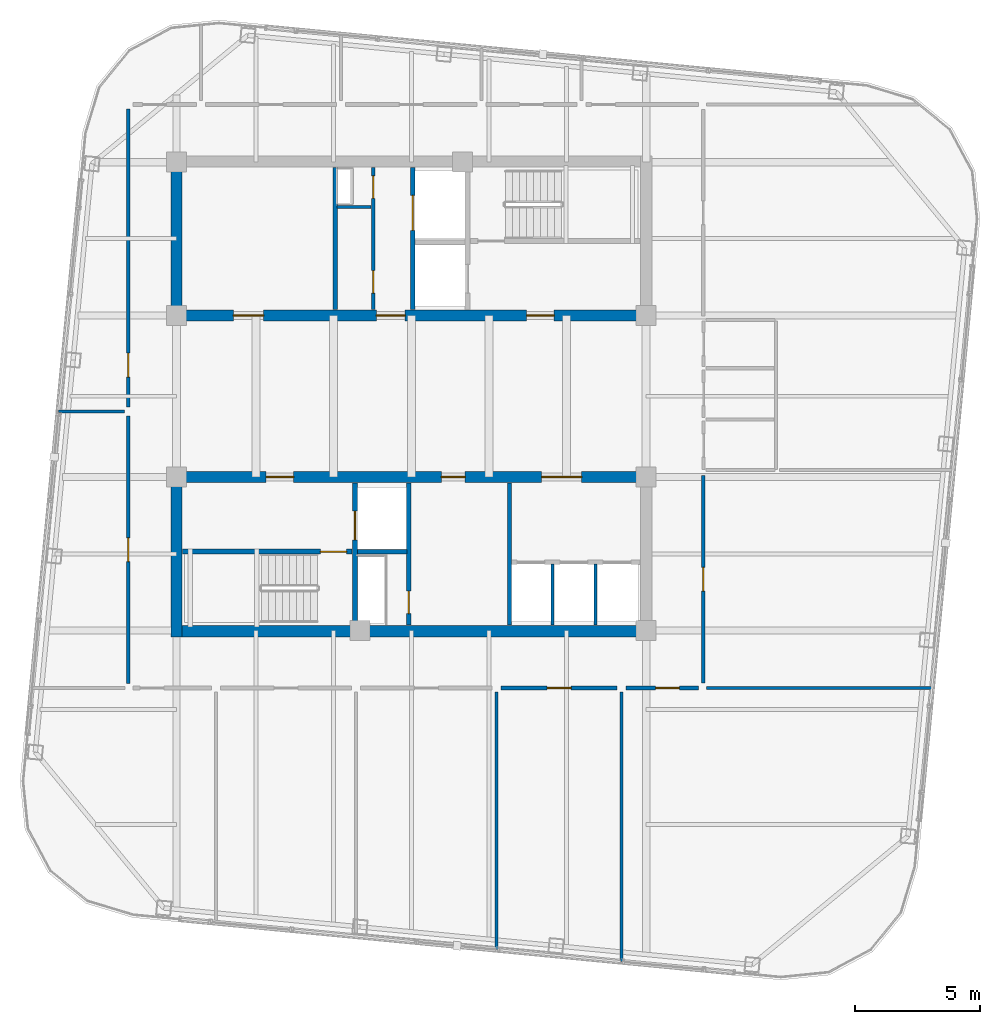
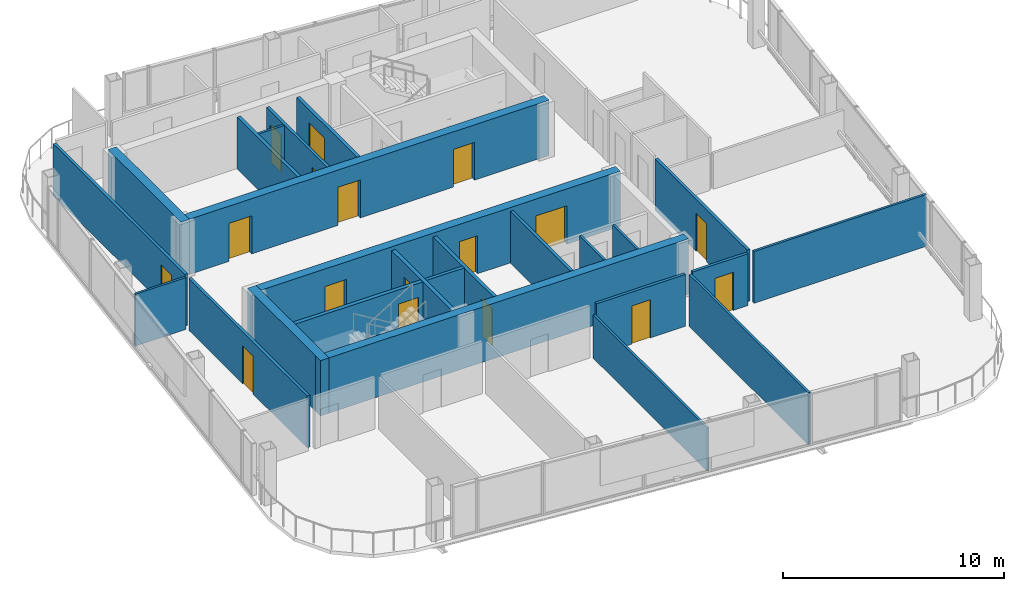
# One storey, part 21 of 27: 25 walls, 17 doors, 17 openings.
"""IFC4 building model written with IfcOpenShell, lengths in metres."""

from ifc_helpers import new_model, si_unit, direction, frame, frame_2d, origin, place, context, subcontext, project, spatial, rectangle, extrude, material, layer, layer_set, type_object, element, fill, save


model = new_model("IFC4")

# Units and contexts
model_context = context("Model", 3, precision=1e-05, world=origin(), true_north=direction((0.0, 1.0)))
body_context = subcontext(model_context, "Body", "Model", "MODEL_VIEW")
ifc_project = project(units=[si_unit("LENGTHUNIT", "METRE"), si_unit("AREAUNIT", "SQUARE_METRE"), si_unit("VOLUMEUNIT", "CUBIC_METRE"), si_unit("PLANEANGLEUNIT", "RADIAN"), si_unit("MASSUNIT", "GRAM", prefix="KILO")], contexts=[model_context])

# Site, building, storey
site_placement = place(None, origin())
site = spatial("IfcSite", under=ifc_project, at=site_placement, CompositionType="ELEMENT")
building_placement = place(site_placement, origin())
building = spatial("IfcBuilding", under=site, at=building_placement, Name="Qhalaya Broadcast Tower", CompositionType="ELEMENT")
storey_placement = place(building_placement, frame((0.0, 0.0, 258.10009765625)))
storey = spatial("IfcBuildingStorey", under=building, at=storey_placement, Name="L76", CompositionType="ELEMENT", Elevation=258.10009765625)

# Wall, openings, doors
ifc_material_1 = material(Name="Gypsum Acoustic Partition")
ifc_layer_1 = layer(ifc_material_1, 0.14990234375, Name="Gypsum Acoustic Partition")
ifc_layer_set_1 = layer_set([ifc_layer_1], Name="Gypsum Acoustic Partition")
wall_type_1 = type_object("IfcWallType", Name="Corridor & Tenancy Acoustic Partition 150", PredefinedType="PARTITIONING", material=ifc_layer_set_1)
wall_1_placement = place(storey_placement, frame((-1.52001953125, 4.070068359375, 0.0), z_axis=(0.0, 0.0, 1.0), x_axis=(0.0, 1.0, 0.0)))
wall_1 = element("IfcWall", 1, at=wall_1_placement, inside=storey, type_object=wall_type_1, Name="L76 Partition Wall NCW-SVL", PredefinedType="PARTITIONING", context=body_context, shape_type="SweptSolid", body=[
    extrude(rectangle(XDim=5.659912109375, YDim=0.14990234375, at=frame_2d((2.830078125, 0.0))), origin(), (0.0, 0.0, 1.0), 2.85986328125),
])
opening_1_placement = place(wall_1_placement, frame((4.429931640625, 0.0, 0.0)))
opening_1 = element("IfcOpeningElement", 2, at=opening_1_placement, cuts=wall_1, Name="Opening D06", PredefinedType="OPENING", context=body_context, shape_type="SweptSolid", body=[
    extrude(rectangle(XDim=0.89990234375, YDim=2.050048828125, at=frame_2d((0.449951171875, 1.02490234375))), frame((0.0, 0.0869140625, 0.0), z_axis=(0.0, -1.0, 0.0), x_axis=(1.0, 0.0, 0.0)), (0.0, 0.0, 1.0), 0.173828125),
])
opening_2_placement = place(wall_1_placement, frame((0.64990234375, 0.0, 0.0)))
opening_2 = element("IfcOpeningElement", 3, at=opening_2_placement, cuts=wall_1, Name="Opening D06", PredefinedType="OPENING", context=body_context, shape_type="SweptSolid", body=[
    extrude(rectangle(XDim=0.89990234375, YDim=2.050048828125, at=frame_2d((0.449951171875, 1.02490234375))), frame((0.0, 0.0869140625, 0.0), z_axis=(0.0, -1.0, 0.0), x_axis=(1.0, 0.0, 0.0)), (0.0, 0.0, 1.0), 0.173828125),
])
ifc_material_2 = material(Name="Fire-Rated Steel Door", Category="steel")
door_type_1 = type_object("IfcDoorType", Name="Riser & Electrical Shaft Access Door D06", OperationType="NOTDEFINED", PredefinedType="DOOR", material=ifc_material_2)
door_1_placement = place(opening_1_placement, origin())
door_1 = element("IfcDoor", 4, at=door_1_placement, inside=storey, type_object=door_type_1, Name="L76 Riser Shaft Access Door D-NRSR", OperationType="SINGLE_SWING_RIGHT", OverallHeight=2.050048828125, OverallWidth=0.89990234375, PredefinedType="DOOR", context=body_context, shape_type="SweptSolid", body=[
    extrude(rectangle(XDim=0.89990234375, YDim=2.050048828125, at=frame_2d((0.449951171875, 1.02490234375))), frame((0.0, 0.02490234375, 0.0), z_axis=(0.0, -1.0, 0.0), x_axis=(1.0, 0.0, 0.0)), (0.0, 0.0, 1.0), 0.050048828125),
])
fill(opening_1, door_1)
door_2_placement = place(opening_2_placement, origin())
door_2 = element("IfcDoor", 5, at=door_2_placement, inside=storey, type_object=door_type_1, Name="L76 Door D-NCST", OperationType="SINGLE_SWING_LEFT", OverallHeight=2.050048828125, OverallWidth=0.89990234375, PredefinedType="DOOR", context=body_context, shape_type="SweptSolid", body=[
    extrude(rectangle(XDim=0.89990234375, YDim=2.050048828125, at=frame_2d((0.449951171875, 1.02490234375))), frame((0.0, 0.02490234375, 0.0), z_axis=(0.0, -1.0, 0.0), x_axis=(1.0, 0.0, 0.0)), (0.0, 0.0, 1.0), 0.050048828125),
])
fill(opening_2, door_2)

# Wall
wall_2_placement = place(storey_placement, frame((3.919921875, -8.530029296875, 0.0), z_axis=(0.0, 0.0, 1.0), x_axis=(0.0, 1.0, 0.0)))
element("IfcWall", 6, at=wall_2_placement, inside=storey, type_object=wall_type_1, Name="L76 Partition Wall SCW-HSEP", PredefinedType="PARTITIONING", context=body_context, shape_type="SweptSolid", body=[
    extrude(rectangle(XDim=5.659912109375, YDim=0.14990234375, at=frame_2d((2.830078125, 0.0))), origin(), (0.0, 0.0, 1.0), 2.85986328125),
])

# Wall, opening, door
wall_3_placement = place(storey_placement, frame((3.580078125, -11.050048828125, 0.0), z_axis=(0.0, 0.0, 1.0), x_axis=(1.0, 0.0, 0.0)))
wall_3 = element("IfcWall", 7, at=wall_3_placement, inside=storey, type_object=wall_type_1, Name="L76 Partition Wall W-COR-09", PredefinedType="PARTITIONING", context=body_context, shape_type="SweptSolid", body=[
    extrude(rectangle(XDim=4.639892578125, YDim=0.14990234375, at=frame_2d((2.31982421875, 0.0))), origin(), (0.0, 0.0, 1.0), 2.85986328125),
])
opening_3_placement = place(wall_3_placement, frame((1.844970703125, 0.0, 0.0)))
opening_3 = element("IfcOpeningElement", 8, at=opening_3_placement, cuts=wall_3, Name="Opening D10", PredefinedType="OPENING", context=body_context, shape_type="SweptSolid", body=[
    extrude(rectangle(XDim=0.949951171875, YDim=2.10009765625, at=frame_2d((0.47509765625, 1.050048828125))), frame((0.0, 0.0869140625, 0.0), z_axis=(0.0, -1.0, 0.0), x_axis=(1.0, 0.0, 0.0)), (0.0, 0.0, 1.0), 0.173828125),
])
ifc_material_3 = material(Name="Timber Veneer Acoustic Door", Category="wood")
door_type_2 = type_object("IfcDoorType", Name="Cellular Office & Edit Booth Door D10", OperationType="NOTDEFINED", PredefinedType="DOOR", material=ifc_material_3)
door_3_placement = place(opening_3_placement, origin())
door_3 = element("IfcDoor", 9, at=door_3_placement, inside=storey, type_object=door_type_2, Name="L76 Door D-RM09", OperationType="SINGLE_SWING_RIGHT", OverallHeight=2.10009765625, OverallWidth=0.949951171875, PredefinedType="DOOR", context=body_context, shape_type="SweptSolid", body=[
    extrude(rectangle(XDim=0.949951171875, YDim=2.10009765625, at=frame_2d((0.47509765625, 1.050048828125))), frame((0.0, 0.02490234375, 0.0), z_axis=(0.0, -1.0, 0.0), x_axis=(1.0, 0.0, 0.0)), (0.0, 0.0, 1.0), 0.050048828125),
])
fill(opening_3, door_3)

wall_4_placement = place(storey_placement, frame((8.580078125, -11.050048828125, 0.0), z_axis=(0.0, 0.0, 1.0), x_axis=(1.0, 0.0, 0.0)))
wall_4 = element("IfcWall", 10, at=wall_4_placement, inside=storey, type_object=wall_type_1, Name="L76 Partition Wall W-COR-10", PredefinedType="PARTITIONING", context=body_context, shape_type="SweptSolid", body=[
    extrude(rectangle(XDim=2.889892578125, YDim=0.14990234375, at=frame_2d((1.44482421875, 0.0))), origin(), (0.0, 0.0, 1.0), 2.85986328125),
])
opening_4_placement = place(wall_4_placement, frame((1.169921875, 0.0, 0.0)))
opening_4 = element("IfcOpeningElement", 11, at=opening_4_placement, cuts=wall_4, Name="Opening D10", PredefinedType="OPENING", context=body_context, shape_type="SweptSolid", body=[
    extrude(rectangle(XDim=0.949951171875, YDim=2.10009765625, at=frame_2d((0.47509765625, 1.050048828125))), frame((0.0, 0.0869140625, 0.0), z_axis=(0.0, -1.0, 0.0), x_axis=(1.0, 0.0, 0.0)), (0.0, 0.0, 1.0), 0.173828125),
])
door_4_placement = place(opening_4_placement, origin())
door_4 = element("IfcDoor", 12, at=door_4_placement, inside=storey, type_object=door_type_2, Name="L76 Door D-RM10", OperationType="SINGLE_SWING_LEFT", OverallHeight=2.10009765625, OverallWidth=0.949951171875, PredefinedType="DOOR", context=body_context, shape_type="SweptSolid", body=[
    extrude(rectangle(XDim=0.949951171875, YDim=2.10009765625, at=frame_2d((0.47509765625, 1.050048828125))), frame((0.0, 0.02490234375, 0.0), z_axis=(0.0, -1.0, 0.0), x_axis=(1.0, 0.0, 0.0)), (0.0, 0.0, 1.0), 0.050048828125),
])
fill(opening_4, door_4)

wall_5_placement = place(storey_placement, frame((-11.300048828125, -0.179931640625, 0.0), z_axis=(0.0, 0.0, 1.0), x_axis=(0.0, -1.0, 0.0)))
wall_5 = element("IfcWall", 13, at=wall_5_placement, inside=storey, type_object=wall_type_1, Name="L76 Partition Wall W-COR-11", PredefinedType="PARTITIONING", context=body_context, shape_type="SweptSolid", body=[
    extrude(rectangle(XDim=10.690185546875, YDim=0.14990234375, at=frame_2d((5.34521484375, 0.0))), origin(), (0.0, 0.0, 1.0), 2.85986328125),
])
opening_5_placement = place(wall_5_placement, frame((4.8701171875, 0.0, 0.0)))
opening_5 = element("IfcOpeningElement", 14, at=opening_5_placement, cuts=wall_5, Name="Opening D10", PredefinedType="OPENING", context=body_context, shape_type="SweptSolid", body=[
    extrude(rectangle(XDim=0.949951171875, YDim=2.10009765625, at=frame_2d((0.47509765625, 1.050048828125))), frame((0.0, 0.0869140625, 0.0), z_axis=(0.0, -1.0, 0.0), x_axis=(1.0, 0.0, 0.0)), (0.0, 0.0, 1.0), 0.173828125),
])
door_5_placement = place(opening_5_placement, origin())
door_5 = element("IfcDoor", 15, at=door_5_placement, inside=storey, type_object=door_type_2, Name="L76 Door D-RM11", OperationType="SINGLE_SWING_RIGHT", OverallHeight=2.10009765625, OverallWidth=0.949951171875, PredefinedType="DOOR", context=body_context, shape_type="SweptSolid", body=[
    extrude(rectangle(XDim=0.949951171875, YDim=2.10009765625, at=frame_2d((0.47509765625, 1.050048828125))), frame((0.0, 0.02490234375, 0.0), z_axis=(0.0, -1.0, 0.0), x_axis=(1.0, 0.0, 0.0)), (0.0, 0.0, 1.0), 0.050048828125),
])
fill(opening_5, door_5)

wall_6_placement = place(storey_placement, frame((-11.300048828125, 12.070068359375, 0.0), z_axis=(0.0, 0.0, 1.0), x_axis=(0.0, -1.0, 0.0)))
wall_6 = element("IfcWall", 16, at=wall_6_placement, inside=storey, type_object=wall_type_1, Name="L76 Partition Wall W-COR-12", PredefinedType="PARTITIONING", context=body_context, shape_type="SweptSolid", body=[
    extrude(rectangle(XDim=11.89013671875, YDim=0.14990234375, at=frame_2d((5.945068359375, 0.0))), origin(), (0.0, 0.0, 1.0), 2.85986328125),
])
opening_6_placement = place(wall_6_placement, frame((9.75, 0.0, 0.0)))
opening_6 = element("IfcOpeningElement", 17, at=opening_6_placement, cuts=wall_6, Name="Opening D10", PredefinedType="OPENING", context=body_context, shape_type="SweptSolid", body=[
    extrude(rectangle(XDim=0.949951171875, YDim=2.10009765625, at=frame_2d((0.47509765625, 1.050048828125))), frame((0.0, 0.0869140625, 0.0), z_axis=(0.0, -1.0, 0.0), x_axis=(1.0, 0.0, 0.0)), (0.0, 0.0, 1.0), 0.173828125),
])
door_6_placement = place(opening_6_placement, origin())
door_6 = element("IfcDoor", 18, at=door_6_placement, inside=storey, type_object=door_type_2, Name="L76 Door D-RM12", OperationType="SINGLE_SWING_LEFT", OverallHeight=2.10009765625, OverallWidth=0.949951171875, PredefinedType="DOOR", context=body_context, shape_type="SweptSolid", body=[
    extrude(rectangle(XDim=0.949951171875, YDim=2.10009765625, at=frame_2d((0.47509765625, 1.050048828125))), frame((0.0, 0.02490234375, 0.0), z_axis=(0.0, -1.0, 0.0), x_axis=(1.0, 0.0, 0.0)), (0.0, 0.0, 1.0), 0.050048828125),
])
fill(opening_6, door_6)

wall_7_placement = place(storey_placement, frame((11.64990234375, -10.85009765625, 0.0), z_axis=(0.0, 0.0, 1.0), x_axis=(0.0, 1.0, 0.0)))
wall_7 = element("IfcWall", 19, at=wall_7_placement, inside=storey, type_object=wall_type_1, Name="L76 Partition Wall W-COR-13", PredefinedType="PARTITIONING", context=body_context, shape_type="SweptSolid", body=[
    extrude(rectangle(XDim=8.2900390625, YDim=0.14990234375, at=frame_2d((4.14501953125, 0.0))), origin(), (0.0, 0.0, 1.0), 2.85986328125),
])
opening_7_placement = place(wall_7_placement, frame((3.669921875, 0.0, 0.0)))
opening_7 = element("IfcOpeningElement", 20, at=opening_7_placement, cuts=wall_7, Name="Opening D10", PredefinedType="OPENING", context=body_context, shape_type="SweptSolid", body=[
    extrude(rectangle(XDim=0.949951171875, YDim=2.10009765625, at=frame_2d((0.47509765625, 1.050048828125))), frame((0.0, 0.0869140625, 0.0), z_axis=(0.0, -1.0, 0.0), x_axis=(1.0, 0.0, 0.0)), (0.0, 0.0, 1.0), 0.173828125),
])
door_7_placement = place(opening_7_placement, origin())
door_7 = element("IfcDoor", 21, at=door_7_placement, inside=storey, type_object=door_type_2, Name="L76 Door D-RM13", OperationType="SINGLE_SWING_RIGHT", OverallHeight=2.10009765625, OverallWidth=0.949951171875, PredefinedType="DOOR", context=body_context, shape_type="SweptSolid", body=[
    extrude(rectangle(XDim=0.949951171875, YDim=2.10009765625, at=frame_2d((0.47509765625, 1.050048828125))), frame((0.0, 0.02490234375, 0.0), z_axis=(0.0, -1.0, 0.0), x_axis=(1.0, 0.0, 0.0)), (0.0, 0.0, 1.0), 0.050048828125),
])
fill(opening_7, door_7)

ifc_material_4 = material(Name="Concrete C50/60", Category="concrete")
ifc_layer_2 = layer(ifc_material_4, 0.199951171875, Name="Concrete C50/60")
ifc_layer_set_2 = layer_set([ifc_layer_2], Name="Concrete C50/60")
wall_type_2 = type_object("IfcWallType", Name="Load-Bearing Stair Shaft Wall 200", PredefinedType="SHEAR", material=ifc_layer_set_2)
wall_8_placement = place(storey_placement, frame((-9.1298828125, -5.60498046875, 0.0), z_axis=(0.0, 0.0, 1.0), x_axis=(1.0, 0.0, 0.0)))
wall_8 = element("IfcWall", 22, at=wall_8_placement, inside=storey, type_object=wall_type_2, Name="L76 Stair Core Shear Wall SCW-ST2", PredefinedType="SHEAR", context=body_context, shape_type="SweptSolid", body=[
    extrude(rectangle(XDim=6.769775390625, YDim=0.199951171875, at=frame_2d((3.384765625, 0.0))), origin(), (0.0, 0.0, 1.0), 2.85986328125),
])
opening_8_placement = place(wall_8_placement, frame((5.5, 0.0, 0.0)))
opening_8 = element("IfcOpeningElement", 23, at=opening_8_placement, cuts=wall_8, Name="Opening D03", PredefinedType="OPENING", context=body_context, shape_type="SweptSolid", body=[
    extrude(rectangle(XDim=1.050048828125, YDim=2.080078125, at=frame_2d((0.52490234375, 1.0400390625))), frame((0.0, 0.112060546875, 0.0), z_axis=(0.0, -1.0, 0.0), x_axis=(1.0, 0.0, 0.0)), (0.0, 0.0, 1.0), 0.223876953125),
])
door_type_3 = type_object("IfcDoorType", Name="Core Stair Protected Fire Door D03", OperationType="NOTDEFINED", PredefinedType="DOOR", material=ifc_material_2)
door_8_placement = place(opening_8_placement, origin())
door_8 = element("IfcDoor", 24, at=door_8_placement, inside=storey, type_object=door_type_3, Name="L76 Door D-SST2", OperationType="SINGLE_SWING_RIGHT", OverallHeight=2.080078125, OverallWidth=1.050048828125, PredefinedType="DOOR", context=body_context, shape_type="SweptSolid", body=[
    extrude(rectangle(XDim=1.050048828125, YDim=2.080078125, at=frame_2d((0.52490234375, 1.0400390625))), frame((0.0, 0.02490234375, 0.0), z_axis=(0.0, -1.0, 0.0), x_axis=(1.0, 0.0, 0.0)), (0.0, 0.0, 1.0), 0.050048828125),
])
fill(opening_8, door_8)

wall_9_placement = place(storey_placement, frame((-2.25, -8.530029296875, 0.0), z_axis=(0.0, 0.0, 1.0), x_axis=(0.0, 1.0, 0.0)))
wall_9 = element("IfcWall", 25, at=wall_9_placement, inside=storey, type_object=wall_type_2, Name="L76 Stair Core Shear Wall SCW-FF", PredefinedType="SHEAR", context=body_context, shape_type="SweptSolid", body=[
    extrude(rectangle(XDim=5.659912109375, YDim=0.199951171875, at=frame_2d((2.830078125, 0.0))), origin(), (0.0, 0.0, 1.0), 2.85986328125),
])
opening_9_placement = place(wall_9_placement, frame((3.39990234375, 0.0, 0.0)))
opening_9 = element("IfcOpeningElement", 26, at=opening_9_placement, cuts=wall_9, Name="Opening LD2", PredefinedType="OPENING", context=body_context, shape_type="SweptSolid", body=[
    extrude(rectangle(XDim=1.14990234375, YDim=2.080078125, at=frame_2d((0.574951171875, 1.0400390625))), frame((0.0, 0.112060546875, 0.0), z_axis=(0.0, -1.0, 0.0), x_axis=(1.0, 0.0, 0.0)), (0.0, 0.0, 1.0), 0.223876953125),
])
ifc_material_5 = material(Name="Brushed Stainless Steel Lift Door", Category="steel")
door_type_4 = type_object("IfcDoorType", Name="Firefighting Lift Sliding Landing Door LD2", OperationType="DOUBLE_DOOR_SLIDING", PredefinedType="DOOR", material=ifc_material_5)
door_9_placement = place(opening_9_placement, origin())
door_9 = element("IfcDoor", 27, at=door_9_placement, inside=storey, type_object=door_type_4, Name="L76 Door LD-FF2", OperationType="DOUBLE_DOOR_SLIDING", OverallHeight=2.080078125, OverallWidth=1.14990234375, PredefinedType="DOOR", context=body_context, shape_type="SweptSolid", body=[
    extrude(rectangle(XDim=1.14990234375, YDim=2.080078125, at=frame_2d((0.574951171875, 1.0400390625))), frame((0.0, 0.02490234375, 0.0), z_axis=(0.0, -1.0, 0.0), x_axis=(1.0, 0.0, 0.0)), (0.0, 0.0, 1.0), 0.050048828125),
])
fill(opening_9, door_9)

# Walls
ifc_layer_3 = layer(ifc_material_1, 0.1201171875, Name="Gypsum Acoustic Partition")
ifc_layer_set_3 = layer_set([ifc_layer_3], Name="Gypsum Acoustic Partition")
wall_type_3 = type_object("IfcWallType", Name="Office, Booth & Sanitary Partition 120", PredefinedType="PARTITIONING", material=ifc_layer_set_3)
wall_10_placement = place(storey_placement, frame((-2.9599609375, 8.14990234375, 0.0), z_axis=(0.0, 0.0, 1.0), x_axis=(1.0, 0.0, 0.0)))
element("IfcWall", 28, at=wall_10_placement, inside=storey, type_object=wall_type_3, Name="L76 Partition Wall NCW-VA", PredefinedType="PARTITIONING", context=body_context, shape_type="SweptSolid", body=[
    extrude(rectangle(XDim=1.35986328125, YDim=0.1201171875, at=frame_2d((0.679931640625, 0.0))), origin(), (0.0, 0.0, 1.0), 2.85986328125),
])
for number, where, z_axis, x_axis, name in (
    (29, (5.639892578125, -8.530029296875, 0.0), (0.0, 0.0, 1.0), (0.0, 1.0, 0.0), "L76 Partition Wall SCW-HD6"),
    (30, (7.360107421875, -8.530029296875, 0.0), (0.0, 0.0, 1.0), (0.0, 1.0, 0.0), "L76 Partition Wall SCW-HD7"),
):
    element("IfcWall", number, at=place(storey_placement, frame(where, z_axis=z_axis, x_axis=x_axis)), inside=storey, type_object=wall_type_3, Name=name, PredefinedType="PARTITIONING", context=body_context, shape_type="SweptSolid", body=[
        extrude(rectangle(XDim=2.429931640625, YDim=0.1201171875, at=frame_2d((1.21484375, 0.0))), origin(), (0.0, 0.0, 1.0), 2.85986328125),
    ])
wall_11_placement = place(storey_placement, frame((11.7900390625, -11.050048828125, 0.0), z_axis=(0.0, 0.0, 1.0), x_axis=(1.0, 0.0, 0.0)))
element("IfcWall", 31, at=wall_11_placement, inside=storey, type_object=wall_type_3, Name="L76 Partition Wall W-BNDE2", PredefinedType="PARTITIONING", context=body_context, shape_type="SweptSolid", body=[
    extrude(rectangle(XDim=8.989501953125, YDim=0.1201171875, at=frame_2d((4.49462890625, 0.0))), origin(), (0.0, 0.0, 1.0), 2.85986328125),
])
wall_12_placement = place(storey_placement, frame((3.39990234375, -21.4892578125, 0.0), z_axis=(0.0, 0.0, 1.0), x_axis=(0.0, 1.0, 0.0)))
element("IfcWall", 32, at=wall_12_placement, inside=storey, type_object=wall_type_3, Name="L76 Partition Wall W-DIVS3", PredefinedType="PARTITIONING", context=body_context, shape_type="SweptSolid", body=[
    extrude(rectangle(XDim=10.279296875, YDim=0.1201171875, at=frame_2d((5.1396484375, 0.0))), origin(), (0.0, 0.0, 1.0), 2.380859375),
])
wall_13_placement = place(storey_placement, frame((8.39990234375, -21.970703125, 0.0), z_axis=(0.0, 0.0, 1.0), x_axis=(0.0, 1.0, 0.0)))
element("IfcWall", 33, at=wall_13_placement, inside=storey, type_object=wall_type_3, Name="L76 Partition Wall W-DIVS4", PredefinedType="PARTITIONING", context=body_context, shape_type="SweptSolid", body=[
    extrude(rectangle(XDim=10.7607421875, YDim=0.1201171875, at=frame_2d((5.38037109375, 0.0))), origin(), (0.0, 0.0, 1.0), 2.85986328125),
])
wall_14_placement = place(storey_placement, frame((-14.081787109375, 0.0, 0.0), z_axis=(0.0, 0.0, 1.0), x_axis=(1.0, 0.0, 0.0)))
element("IfcWall", 34, at=wall_14_placement, inside=storey, type_object=wall_type_3, Name="L76 Partition Wall W-DIVW1", PredefinedType="PARTITIONING", context=body_context, shape_type="SweptSolid", body=[
    extrude(rectangle(XDim=2.621826171875, YDim=0.1201171875, at=frame_2d((1.31103515625, 0.0))), origin(), (0.0, 0.0, 1.0), 2.85986328125),
])

# Wall, opening, door
ifc_layer_4 = layer(ifc_material_1, 0.175048828125, Name="Gypsum Acoustic Partition")
ifc_layer_set_4 = layer_set([ifc_layer_4], Name="Gypsum Acoustic Partition")
wall_type_4 = type_object("IfcWallType", Name="Shaft & Riser Fire Partition 175", PredefinedType="PARTITIONING", material=ifc_layer_set_4)
wall_15_placement = place(storey_placement, frame((0.06005859375, 4.070068359375, 0.0), z_axis=(0.0, 0.0, 1.0), x_axis=(0.0, 1.0, 0.0)))
wall_15 = element("IfcWall", 35, at=wall_15_placement, inside=storey, type_object=wall_type_4, Name="L76 Partition Wall NCW-SVW", PredefinedType="PARTITIONING", context=body_context, shape_type="SweptSolid", body=[
    extrude(rectangle(XDim=5.659912109375, YDim=0.175048828125, at=frame_2d((2.830078125, 0.0))), origin(), (0.0, 0.0, 1.0), 2.85986328125),
])
opening_10_placement = place(wall_15_placement, frame((3.14990234375, 0.0, 0.0)))
opening_10 = element("IfcOpeningElement", 36, at=opening_10_placement, cuts=wall_15, Name="Opening LD3", PredefinedType="OPENING", context=body_context, shape_type="SweptSolid", body=[
    extrude(rectangle(XDim=1.39990234375, YDim=2.1201171875, at=frame_2d((0.699951171875, 1.06005859375))), frame((0.0, 0.099609375, 0.0), z_axis=(0.0, -1.0, 0.0), x_axis=(1.0, 0.0, 0.0)), (0.0, 0.0, 1.0), 0.198974609375),
])
door_type_5 = type_object("IfcDoorType", Name="Service Lift Wide Sliding Landing Door LD3", OperationType="DOUBLE_DOOR_SLIDING", PredefinedType="DOOR", material=ifc_material_5)
door_10_placement = place(opening_10_placement, origin())
door_10 = element("IfcDoor", 37, at=door_10_placement, inside=storey, type_object=door_type_5, Name="L76 Door LD-SV1", OperationType="DOUBLE_DOOR_SLIDING", OverallHeight=2.1201171875, OverallWidth=1.39990234375, PredefinedType="DOOR", context=body_context, shape_type="SweptSolid", body=[
    extrude(rectangle(XDim=1.39990234375, YDim=2.1201171875, at=frame_2d((0.699951171875, 1.06005859375))), frame((0.0, 0.02490234375, 0.0), z_axis=(0.0, -1.0, 0.0), x_axis=(1.0, 0.0, 0.0)), (0.0, 0.0, 1.0), 0.050048828125),
])
fill(opening_10, door_10)

# Wall
wall_16_placement = place(storey_placement, frame((-3.0400390625, 4.070068359375, 0.0), z_axis=(0.0, 0.0, 1.0), x_axis=(0.0, 1.0, 0.0)))
element("IfcWall", 38, at=wall_16_placement, inside=storey, type_object=wall_type_4, Name="L76 Partition Wall NCW-VRW", PredefinedType="PARTITIONING", context=body_context, shape_type="SweptSolid", body=[
    extrude(rectangle(XDim=5.659912109375, YDim=0.175048828125, at=frame_2d((2.830078125, 0.0))), origin(), (0.0, 0.0, 1.0), 2.85986328125),
])

# Wall, opening, door
wall_17_placement = place(storey_placement, frame((-0.10009765625, -8.530029296875, 0.0), z_axis=(0.0, 0.0, 1.0), x_axis=(0.0, 1.0, 0.0)))
wall_17 = element("IfcWall", 39, at=wall_17_placement, inside=storey, type_object=wall_type_4, Name="L76 Partition Wall SCW-FFE", PredefinedType="PARTITIONING", context=body_context, shape_type="SweptSolid", body=[
    extrude(rectangle(XDim=5.659912109375, YDim=0.175048828125, at=frame_2d((2.830078125, 0.0))), origin(), (0.0, 0.0, 1.0), 2.85986328125),
])
opening_11_placement = place(wall_17_placement, frame((0.449951171875, 0.0, 0.0)))
opening_11 = element("IfcOpeningElement", 40, at=opening_11_placement, cuts=wall_17, Name="Opening D06", PredefinedType="OPENING", context=body_context, shape_type="SweptSolid", body=[
    extrude(rectangle(XDim=0.89990234375, YDim=2.050048828125, at=frame_2d((0.449951171875, 1.02490234375))), frame((0.0, 0.099609375, 0.0), z_axis=(0.0, -1.0, 0.0), x_axis=(1.0, 0.0, 0.0)), (0.0, 0.0, 1.0), 0.198974609375),
])
door_11_placement = place(opening_11_placement, origin())
door_11 = element("IfcDoor", 41, at=door_11_placement, inside=storey, type_object=door_type_1, Name="L76 Riser Shaft Access Door D-SRSR", OperationType="SINGLE_SWING_LEFT", OverallHeight=2.050048828125, OverallWidth=0.89990234375, PredefinedType="DOOR", context=body_context, shape_type="SweptSolid", body=[
    extrude(rectangle(XDim=0.89990234375, YDim=2.050048828125, at=frame_2d((0.449951171875, 1.02490234375))), frame((0.0, 0.02490234375, 0.0), z_axis=(0.0, -1.0, 0.0), x_axis=(1.0, 0.0, 0.0)), (0.0, 0.0, 1.0), 0.050048828125),
])
fill(opening_11, door_11)

# Wall
wall_18_placement = place(storey_placement, frame((-2.14990234375, -5.60009765625, 0.0), z_axis=(0.0, 0.0, 1.0), x_axis=(1.0, 0.0, 0.0)))
element("IfcWall", 42, at=wall_18_placement, inside=storey, type_object=wall_type_4, Name="L76 Partition Wall SCW-FFM", PredefinedType="PARTITIONING", context=body_context, shape_type="SweptSolid", body=[
    extrude(rectangle(XDim=1.969970703125, YDim=0.175048828125, at=frame_2d((0.98486328125, 0.0))), origin(), (0.0, 0.0, 1.0), 2.85986328125),
])

# Wall, openings, doors
ifc_layer_5 = layer(ifc_material_4, 0.449951171875, Name="Concrete C50/60")
ifc_layer_set_5 = layer_set([ifc_layer_5], Name="Concrete C50/60")
wall_type_5 = type_object("IfcWallType", Name="Upper Split-Core Shear Wall 450", PredefinedType="SHEAR", material=ifc_layer_set_5)
wall_19_placement = place(storey_placement, frame((-9.60009765625, 3.824951171875, 0.0), z_axis=(0.0, 0.0, 1.0), x_axis=(1.0, 0.0, 0.0)))
wall_19 = element("IfcWall", 43, at=wall_19_placement, inside=storey, type_object=wall_type_5, Name="L76 Split-Core Shear Wall CW-NS", PredefinedType="SHEAR", context=body_context, shape_type="SweptSolid", body=[
    extrude(rectangle(XDim=19.2001953125, YDim=0.449951171875, at=frame_2d((9.60009765625, 0.0))), origin(), (0.0, 0.0, 1.0), 3.0498046875),
])
opening_12_placement = place(wall_19_placement, frame((14.199951171875, 0.0, 0.0)))
opening_12 = element("IfcOpeningElement", 44, at=opening_12_placement, cuts=wall_19, Name="Opening D04", PredefinedType="OPENING", context=body_context, shape_type="SweptSolid", body=[
    extrude(rectangle(XDim=1.10009765625, YDim=2.080078125, at=frame_2d((0.550048828125, 1.0400390625))), frame((0.0, 0.237060546875, 0.0), z_axis=(0.0, -1.0, 0.0), x_axis=(1.0, 0.0, 0.0)), (0.0, 0.0, 1.0), 0.473876953125),
])
opening_13_placement = place(wall_19_placement, frame((8.199951171875, 0.0, 0.0)))
opening_13 = element("IfcOpeningElement", 45, at=opening_13_placement, cuts=wall_19, Name="Opening D05", PredefinedType="OPENING", context=body_context, shape_type="SweptSolid", body=[
    extrude(rectangle(XDim=1.14990234375, YDim=2.10009765625, at=frame_2d((0.574951171875, 1.050048828125))), frame((0.0, 0.237060546875, 0.0), z_axis=(0.0, -1.0, 0.0), x_axis=(1.0, 0.0, 0.0)), (0.0, 0.0, 1.0), 0.473876953125),
])
opening_14_placement = place(wall_19_placement, frame((2.5, 0.0, 0.0)))
opening_14 = element("IfcOpeningElement", 46, at=opening_14_placement, cuts=wall_19, Name="Opening D11", PredefinedType="OPENING", context=body_context, shape_type="SweptSolid", body=[
    extrude(rectangle(XDim=1.199951171875, YDim=2.10009765625, at=frame_2d((0.60009765625, 1.050048828125))), frame((0.0, 0.237060546875, 0.0), z_axis=(0.0, -1.0, 0.0), x_axis=(1.0, 0.0, 0.0)), (0.0, 0.0, 1.0), 0.473876953125),
])
ifc_material_6 = material(Name="Anodised Aluminium Glazed Door", Category="aluminium")
door_type_6 = type_object("IfcDoorType", Name="Conference, Boardroom & Studio Control Door D11", OperationType="NOTDEFINED", PredefinedType="DOOR", material=ifc_material_6)
door_12_placement = place(opening_14_placement, origin())
door_12 = element("IfcDoor", 47, at=door_12_placement, inside=storey, type_object=door_type_6, Name="L76 Door D-NREC1", OperationType="SINGLE_SWING_LEFT", OverallHeight=2.10009765625, OverallWidth=1.199951171875, PredefinedType="DOOR", context=body_context, shape_type="SweptSolid", body=[
    extrude(rectangle(XDim=1.199951171875, YDim=2.10009765625, at=frame_2d((0.60009765625, 1.050048828125))), frame((0.0, 0.02490234375, 0.0), z_axis=(0.0, -1.0, 0.0), x_axis=(1.0, 0.0, 0.0)), (0.0, 0.0, 1.0), 0.050048828125),
])
fill(opening_14, door_12)
door_type_7 = type_object("IfcDoorType", Name="Firefighting Lobby Rated Door D04", OperationType="NOTDEFINED", PredefinedType="DOOR", material=ifc_material_2)
door_13_placement = place(opening_12_placement, origin())
door_13 = element("IfcDoor", 48, at=door_13_placement, inside=storey, type_object=door_type_7, Name="L76 Door D-NFF", OperationType="SINGLE_SWING_RIGHT", OverallHeight=2.080078125, OverallWidth=1.10009765625, PredefinedType="DOOR", context=body_context, shape_type="SweptSolid", body=[
    extrude(rectangle(XDim=1.10009765625, YDim=2.080078125, at=frame_2d((0.550048828125, 1.0400390625))), frame((0.0, 0.02490234375, 0.0), z_axis=(0.0, -1.0, 0.0), x_axis=(1.0, 0.0, 0.0)), (0.0, 0.0, 1.0), 0.050048828125),
])
fill(opening_12, door_13)
door_type_8 = type_object("IfcDoorType", Name="Refuge & Plant Room Fire Door D05", OperationType="NOTDEFINED", PredefinedType="DOOR", material=ifc_material_2)
door_14_placement = place(opening_13_placement, origin())
door_14 = element("IfcDoor", 49, at=door_14_placement, inside=storey, type_object=door_type_8, Name="L76 Door D-NSVL", OperationType="SINGLE_SWING_LEFT", OverallHeight=2.10009765625, OverallWidth=1.14990234375, PredefinedType="DOOR", context=body_context, shape_type="SweptSolid", body=[
    extrude(rectangle(XDim=1.14990234375, YDim=2.10009765625, at=frame_2d((0.574951171875, 1.050048828125))), frame((0.0, 0.02490234375, 0.0), z_axis=(0.0, -1.0, 0.0), x_axis=(1.0, 0.0, 0.0)), (0.0, 0.0, 1.0), 0.050048828125),
])
fill(opening_13, door_14)

# Walls
wall_20_placement = place(storey_placement, frame((-9.375, 3.60009765625, 0.0), z_axis=(0.0, 0.0, 1.0), x_axis=(0.0, 1.0, 0.0)))
element("IfcWall", 50, at=wall_20_placement, inside=storey, type_object=wall_type_5, Name="L76 Split-Core Shear Wall CW-NW", PredefinedType="SHEAR", context=body_context, shape_type="SweptSolid", body=[
    extrude(rectangle(XDim=6.599853515625, YDim=0.449951171875, at=frame_2d((3.2998046875, 0.0))), origin(), (0.0, 0.0, 1.0), 3.0498046875),
])
wall_21_placement = place(storey_placement, frame((-9.60009765625, -8.77490234375, 0.0), z_axis=(0.0, 0.0, 1.0), x_axis=(1.0, 0.0, 0.0)))
element("IfcWall", 51, at=wall_21_placement, inside=storey, type_object=wall_type_5, Name="L76 Split-Core Shear Wall CW-SS", PredefinedType="SHEAR", context=body_context, shape_type="SweptSolid", body=[
    extrude(rectangle(XDim=19.2001953125, YDim=0.449951171875, at=frame_2d((9.60009765625, 0.0))), origin(), (0.0, 0.0, 1.0), 3.0498046875),
])

# Wall, openings, doors
wall_22_placement = place(storey_placement, frame((-9.60009765625, -2.625, 0.0), z_axis=(0.0, 0.0, 1.0), x_axis=(1.0, 0.0, 0.0)))
wall_22 = element("IfcWall", 52, at=wall_22_placement, inside=storey, type_object=wall_type_5, Name="L76 Split-Core Shear Wall CW-SN", PredefinedType="SHEAR", context=body_context, shape_type="SweptSolid", body=[
    extrude(rectangle(XDim=19.2001953125, YDim=0.449951171875, at=frame_2d((9.60009765625, 0.0))), origin(), (0.0, 0.0, 1.0), 3.0498046875),
])
opening_15_placement = place(wall_22_placement, frame((3.800048828125, 0.0, 0.0)))
opening_15 = element("IfcOpeningElement", 53, at=opening_15_placement, cuts=wall_22, Name="Opening D04", PredefinedType="OPENING", context=body_context, shape_type="SweptSolid", body=[
    extrude(rectangle(XDim=1.10009765625, YDim=2.080078125, at=frame_2d((0.550048828125, 1.0400390625))), frame((0.0, 0.237060546875, 0.0), z_axis=(0.0, -1.0, 0.0), x_axis=(1.0, 0.0, 0.0)), (0.0, 0.0, 1.0), 0.473876953125),
])
opening_16_placement = place(wall_22_placement, frame((10.800048828125, 0.0, 0.0)))
opening_16 = element("IfcOpeningElement", 54, at=opening_16_placement, cuts=wall_22, Name="Opening D10", PredefinedType="OPENING", context=body_context, shape_type="SweptSolid", body=[
    extrude(rectangle(XDim=0.949951171875, YDim=2.10009765625, at=frame_2d((0.47509765625, 1.050048828125))), frame((0.0, 0.237060546875, 0.0), z_axis=(0.0, -1.0, 0.0), x_axis=(1.0, 0.0, 0.0)), (0.0, 0.0, 1.0), 0.473876953125),
])
opening_17_placement = place(wall_22_placement, frame((14.800048828125, 0.0, 0.0)))
opening_17 = element("IfcOpeningElement", 55, at=opening_17_placement, cuts=wall_22, Name="Opening D07", PredefinedType="OPENING", context=body_context, shape_type="SweptSolid", body=[
    extrude(rectangle(XDim=1.60009765625, YDim=2.1201171875, at=frame_2d((0.800048828125, 1.06005859375))), frame((0.0, 0.237060546875, 0.0), z_axis=(0.0, -1.0, 0.0), x_axis=(1.0, 0.0, 0.0)), (0.0, 0.0, 1.0), 0.473876953125),
])
door_15_placement = place(opening_16_placement, origin())
door_15 = element("IfcDoor", 56, at=door_15_placement, inside=storey, type_object=door_type_2, Name="L76 Door D-SREC", OperationType="SINGLE_SWING_LEFT", OverallHeight=2.10009765625, OverallWidth=0.949951171875, PredefinedType="DOOR", context=body_context, shape_type="SweptSolid", body=[
    extrude(rectangle(XDim=0.949951171875, YDim=2.10009765625, at=frame_2d((0.47509765625, 1.050048828125))), frame((0.0, 0.02490234375, 0.0), z_axis=(0.0, -1.0, 0.0), x_axis=(1.0, 0.0, 0.0)), (0.0, 0.0, 1.0), 0.050048828125),
])
fill(opening_16, door_15)
door_16_placement = place(opening_15_placement, origin())
door_16 = element("IfcDoor", 57, at=door_16_placement, inside=storey, type_object=door_type_7, Name="L76 Door D-SFF", OperationType="SINGLE_SWING_LEFT", OverallHeight=2.080078125, OverallWidth=1.10009765625, PredefinedType="DOOR", context=body_context, shape_type="SweptSolid", body=[
    extrude(rectangle(XDim=1.10009765625, YDim=2.080078125, at=frame_2d((0.550048828125, 1.0400390625))), frame((0.0, 0.02490234375, 0.0), z_axis=(0.0, -1.0, 0.0), x_axis=(1.0, 0.0, 0.0)), (0.0, 0.0, 1.0), 0.050048828125),
])
fill(opening_15, door_16)
door_type_9 = type_object("IfcDoorType", Name="Passenger Lift Lobby Double Glazed Door D07", OperationType="DOUBLE_DOOR_SINGLE_SWING", PredefinedType="DOOR", material=ifc_material_6)
door_17_placement = place(opening_17_placement, origin())
door_17 = element("IfcDoor", 58, at=door_17_placement, inside=storey, type_object=door_type_9, Name="L76 Door D-SPLL", OperationType="DOUBLE_DOOR_SINGLE_SWING", OverallHeight=2.1201171875, OverallWidth=1.60009765625, PredefinedType="DOOR", context=body_context, shape_type="SweptSolid", body=[
    extrude(rectangle(XDim=1.60009765625, YDim=2.1201171875, at=frame_2d((0.800048828125, 1.06005859375))), frame((0.0, 0.02490234375, 0.0), z_axis=(0.0, -1.0, 0.0), x_axis=(1.0, 0.0, 0.0)), (0.0, 0.0, 1.0), 0.050048828125),
])
fill(opening_17, door_17)

# Wall
wall_23_placement = place(storey_placement, frame((-9.375, -9.0, 0.0), z_axis=(0.0, 0.0, 1.0), x_axis=(0.0, 1.0, 0.0)))
element("IfcWall", 59, at=wall_23_placement, inside=storey, type_object=wall_type_5, Name="L76 Split-Core Shear Wall CW-SW", PredefinedType="SHEAR", context=body_context, shape_type="SweptSolid", body=[
    extrude(rectangle(XDim=6.60009765625, YDim=0.449951171875, at=frame_2d((3.300048828125, 0.0))), origin(), (0.0, 0.0, 1.0), 3.0498046875),
])

save(model, "model.ifc")
